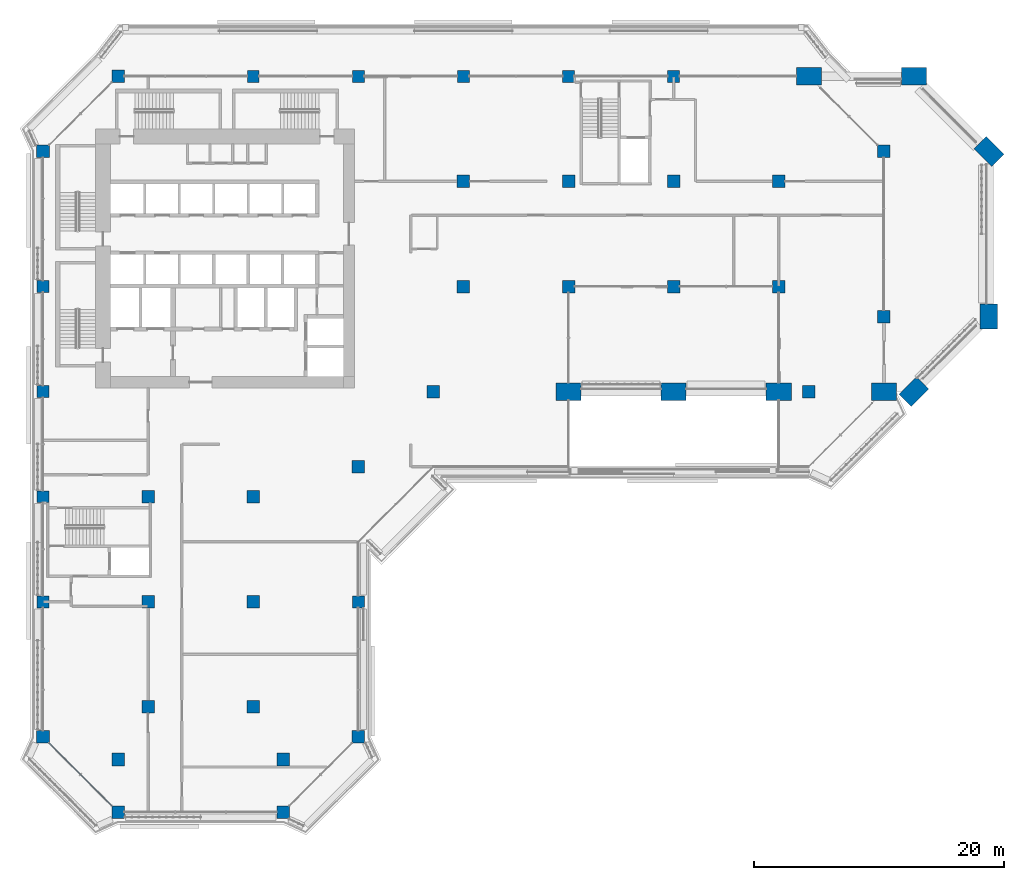
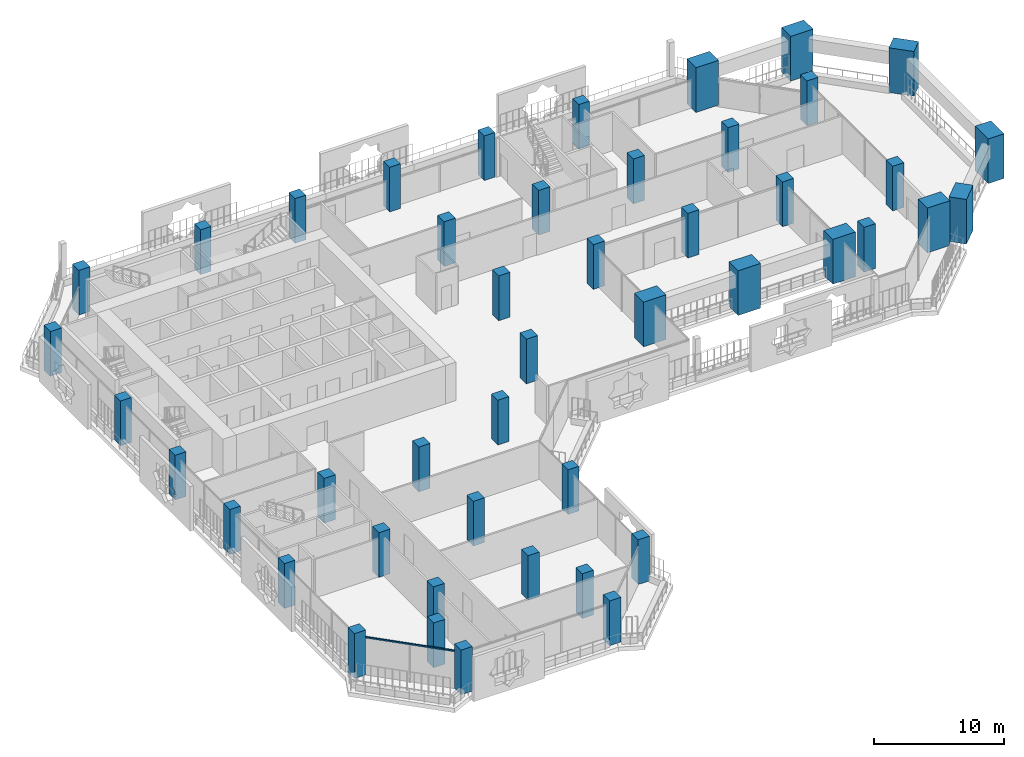
# One storey, part 1 of 23: 46 columns, 1 member, 1 element without a shape of its own.
"""IFC4 building model written with IfcOpenShell, lengths in metres."""

from ifc_helpers import new_model, si_unit, direction, frame, origin, origin_2d, place, context, subcontext, project, spatial, rectangle, extrude, material, layer, layer_set, material_profile, profile_set, type_object, element, aggregate, save


model = new_model("IFC4")

# Units and contexts
model_context = context("Model", 3, precision=1e-05, world=origin(), true_north=direction((0.0, 1.0)))
body_context = subcontext(model_context, "Body", "Model", "MODEL_VIEW")
ifc_project = project(units=[si_unit("LENGTHUNIT", "METRE"), si_unit("AREAUNIT", "SQUARE_METRE"), si_unit("VOLUMEUNIT", "CUBIC_METRE"), si_unit("PLANEANGLEUNIT", "RADIAN"), si_unit("MASSUNIT", "GRAM", prefix="KILO")], contexts=[model_context])

# Site, building, storey
site_placement = place(None, origin())
site = spatial("IfcSite", under=ifc_project, at=site_placement, CompositionType="ELEMENT")
building_placement = place(site_placement, origin())
building = spatial("IfcBuilding", under=site, at=building_placement, Name="Kawkab Arch Medical Tower", CompositionType="ELEMENT")
storey_placement = place(building_placement, frame((0.0, 0.0, 158.39990234375)))
storey = spatial("IfcBuildingStorey", under=building, at=storey_placement, Name="L36", CompositionType="ELEMENT", Elevation=158.39990234375)

# Columns
ifc_material_1 = material(Name="Concrete C50/60", Category="concrete")
ifc_material_profile_1 = material_profile(ifc_material_1, rectangle(XDim=1.0, YDim=1.0, at=origin_2d()), Name="RC 1000x1000")
ifc_profile_set_1 = profile_set([ifc_material_profile_1], Name="Concrete C50/60")
column_type_1 = type_object("IfcColumnType", Name="RC 1000x1000 column C50/60", PredefinedType="COLUMN", material=ifc_profile_set_1)
for number, where, z_axis, x_axis, name in (
    (1, (6.0, 0.0, 0.0), (0.0, 0.0, 1.0), (1.0, 0.0, 0.0), "Column RC 1000x1000"),
    (2, (0.0, -6.0, 0.0), (0.0, 0.0, 1.0), (1.0, 0.0, 0.0), "Column RC 1000x1000"),
    (3, (67.199951171875, -6.0, 0.0), (0.0, 0.0, 1.0), (1.0, 0.0, 0.0), "Column RC 1000x1000"),
    (4, (33.60009765625, -8.39990234375, 0.0), (0.0, 0.0, 1.0), (1.0, 0.0, 0.0), "Column RC 1000x1000"),
    (5, (42.0, -8.39990234375, 0.0), (0.0, 0.0, 1.0), (1.0, 0.0, 0.0), "Column RC 1000x1000"),
    (6, (50.39990234375, -8.39990234375, 0.0), (0.0, 0.0, 1.0), (1.0, 0.0, 0.0), "Column RC 1000x1000"),
    (7, (58.800048828125, -8.39990234375, 0.0), (0.0, 0.0, 1.0), (1.0, 0.0, 0.0), "Column RC 1000x1000"),
    (8, (33.60009765625, -16.800048828125, 0.0), (0.0, 0.0, 1.0), (1.0, 0.0, 0.0), "Column RC 1000x1000"),
    (9, (42.0, -16.800048828125, 0.0), (0.0, 0.0, 1.0), (1.0, 0.0, 0.0), "Column RC 1000x1000"),
    (10, (50.39990234375, -16.800048828125, 0.0), (0.0, 0.0, 1.0), (1.0, 0.0, 0.0), "Column RC 1000x1000"),
    (11, (58.800048828125, -16.800048828125, 0.0), (0.0, 0.0, 1.0), (1.0, 0.0, 0.0), "Column RC 1000x1000"),
    (12, (67.199951171875, -19.199951171875, 0.0), (0.0, 0.0, 1.0), (1.0, 0.0, 0.0), "Column RC 1000x1000"),
    (13, (31.199951171875, -25.199951171875, 0.0), (0.0, 0.0, 1.0), (1.0, 0.0, 0.0), "Column RC 1000x1000"),
    (14, (61.199951171875, -25.199951171875, 0.0), (0.0, 0.0, 1.0), (1.0, 0.0, 0.0), "Column RC 1000x1000"),
    (15, (25.199951171875, -31.199951171875, 0.0), (0.0, 0.0, 1.0), (1.0, 0.0, 0.0), "Column RC 1000x1000"),
    (16, (8.39990234375, -33.60009765625, 0.0), (0.0, 0.0, 1.0), (1.0, 0.0, 0.0), "Column RC 1000x1000"),
    (17, (16.800048828125, -33.60009765625, 0.0), (0.0, 0.0, 1.0), (1.0, 0.0, 0.0), "Column RC 1000x1000"),
    (18, (8.39990234375, -42.0, 0.0), (0.0, 0.0, 1.0), (1.0, 0.0, 0.0), "Column RC 1000x1000"),
    (19, (16.800048828125, -42.0, 0.0), (0.0, 0.0, 1.0), (1.0, 0.0, 0.0), "Column RC 1000x1000"),
    (20, (8.39990234375, -50.39990234375, 0.0), (0.0, 0.0, 1.0), (1.0, 0.0, 0.0), "Column RC 1000x1000"),
    (21, (16.800048828125, -50.39990234375, 0.0), (0.0, 0.0, 1.0), (1.0, 0.0, 0.0), "Column RC 1000x1000"),
    (22, (0.0, -52.800048828125, 0.0), (0.0, 0.0, 1.0), (1.0, 0.0, 0.0), "Column RC 1000x1000"),
    (23, (25.199951171875, -52.800048828125, 0.0), (0.0, 0.0, 1.0), (1.0, 0.0, 0.0), "Column RC 1000x1000"),
    (24, (6.0, -54.60009765625, 0.0), (0.0, 0.0, 1.0), (1.0, 0.0, 0.0), "Column RC 1000x1000"),
    (25, (19.199951171875, -54.60009765625, 0.0), (0.0, 0.0, 1.0), (1.0, 0.0, 0.0), "Column RC 1000x1000"),
    (26, (6.0, -58.800048828125, 0.0), (0.0, 0.0, 1.0), (1.0, 0.0, 0.0), "Column RC 1000x1000"),
    (27, (19.199951171875, -58.800048828125, 0.0), (0.0, 0.0, 1.0), (1.0, 0.0, 0.0), "Column RC 1000x1000"),
):
    element("IfcColumn", number, at=place(storey_placement, frame(where, z_axis=z_axis, x_axis=x_axis)), inside=storey, type_object=column_type_1, Name=name, PredefinedType="COLUMN", context=body_context, shape_type="SweptSolid", body=[
        extrude(rectangle(XDim=1.0, YDim=1.0, at=origin_2d()), origin(), (0.0, 0.0, 1.0), 4.2001953125),
    ])
ifc_material_2 = material(Name="Concrete C50/60", Category="concrete")
ifc_material_profile_2 = material_profile(ifc_material_2, rectangle(XDim=2.0, YDim=1.39990234375, at=origin_2d()), Name="RC 2000x1400")
ifc_profile_set_2 = profile_set([ifc_material_profile_2], Name="Concrete C50/60")
column_type_2 = type_object("IfcColumnType", Name="RC 2000x1400 column C50/60", PredefinedType="COLUMN", material=ifc_profile_set_2)
for number, where, z_axis, x_axis, name in (
    (28, (61.199951171875, 0.0, 0.0), (0.0, 0.0, 1.0), (1.0, 0.0, 0.0), "Column RC 2000x1400"),
    (29, (42.0, -25.199951171875, 0.0), (0.0, 0.0, 1.0), (-1.0, 0.0, 0.0), "Column RC 2000x1400"),
    (30, (50.39990234375, -25.199951171875, 0.0), (0.0, 0.0, 1.0), (-1.0, 0.0, 0.0), "Column RC 2000x1400"),
    (31, (69.60009765625, 0.0, 0.0), (0.0, 0.0, 1.0), (1.0, 0.0, 0.0), "Column RC 2000x1400"),
    (32, (75.60009765625, -6.0, 0.0), (0.0, 0.0, 1.0), (0.707106781187, -0.707106781187, 0.0), "Column RC 2000x1400"),
    (33, (75.60009765625, -19.199951171875, 0.0), (0.0, 0.0, 1.0), (0.0, -1.0, 0.0), "Column RC 2000x1400"),
    (34, (69.60009765625, -25.199951171875, 0.0), (0.0, 0.0, 1.0), (-0.707106781187, -0.707106781187, 0.0), "Column RC 2000x1400"),
    (35, (67.199951171875, -25.199951171875, 0.0), (0.0, 0.0, 1.0), (-1.0, 0.0, 0.0), "Column RC 2000x1400"),
    (36, (58.800048828125, -25.199951171875, 0.0), (0.0, 0.0, 1.0), (-1.0, 0.0, 0.0), "Column RC 2000x1400"),
):
    element("IfcColumn", number, at=place(storey_placement, frame(where, z_axis=z_axis, x_axis=x_axis)), inside=storey, type_object=column_type_2, Name=name, PredefinedType="COLUMN", context=body_context, shape_type="SweptSolid", body=[
        extrude(rectangle(XDim=2.0, YDim=1.39990234375, at=origin_2d()), origin(), (0.0, 0.0, 1.0), 4.2001953125),
    ])
ifc_material_3 = material(Name="Concrete C50/60", Category="concrete")
ifc_material_profile_3 = material_profile(ifc_material_3, rectangle(XDim=0.949951171875, YDim=0.949951171875, at=origin_2d()), Name="RC 950x950")
ifc_profile_set_3 = profile_set([ifc_material_profile_3], Name="Concrete C50/60")
column_type_3 = type_object("IfcColumnType", Name="RC 950x950 column C50/60", PredefinedType="COLUMN", material=ifc_profile_set_3)
for number, where, z_axis, x_axis, name in (
    (37, (16.800048828125, 0.0, 0.0), (0.0, 0.0, 1.0), (1.0, 0.0, 0.0), "Column RC 950x950"),
    (38, (25.199951171875, 0.0, 0.0), (0.0, 0.0, 1.0), (1.0, 0.0, 0.0), "Column RC 950x950"),
    (39, (33.60009765625, 0.0, 0.0), (0.0, 0.0, 1.0), (1.0, 0.0, 0.0), "Column RC 950x950"),
    (40, (42.0, 0.0, 0.0), (0.0, 0.0, 1.0), (1.0, 0.0, 0.0), "Column RC 950x950"),
    (41, (50.39990234375, 0.0, 0.0), (0.0, 0.0, 1.0), (1.0, 0.0, 0.0), "Column RC 950x950"),
    (42, (0.0, -16.800048828125, 0.0), (0.0, 0.0, 1.0), (1.0, 0.0, 0.0), "Column RC 950x950"),
    (43, (0.0, -25.199951171875, 0.0), (0.0, 0.0, 1.0), (1.0, 0.0, 0.0), "Column RC 950x950"),
    (44, (0.0, -33.60009765625, 0.0), (0.0, 0.0, 1.0), (1.0, 0.0, 0.0), "Column RC 950x950"),
    (45, (0.0, -42.0, 0.0), (0.0, 0.0, 1.0), (1.0, 0.0, 0.0), "Column RC 950x950"),
    (46, (25.199951171875, -42.0, 0.0), (0.0, 0.0, 1.0), (1.0, 0.0, 0.0), "Column RC 950x950"),
):
    element("IfcColumn", number, at=place(storey_placement, frame(where, z_axis=z_axis, x_axis=x_axis)), inside=storey, type_object=column_type_3, Name=name, PredefinedType="COLUMN", context=body_context, shape_type="SweptSolid", body=[
        extrude(rectangle(XDim=0.949951171875, YDim=0.949951171875, at=origin_2d()), origin(), (0.0, 0.0, 1.0), 4.2001953125),
    ])

# Curtain wall, member
ifc_material_4 = material(Name="Bronze anodised aluminium curtain wall frame", Category="aluminium")
ifc_layer = layer(ifc_material_4, 0.159912109375)
ifc_layer_set = layer_set([ifc_layer], Name="Bronze anodised aluminium curtain wall frame")
curtain_wall_type = type_object("IfcCurtainWallType", Name="CW2 chamfer curtain wall", PredefinedType="NOTDEFINED", material=ifc_layer_set)
curtain_wall_placement = place(storey_placement, origin())
curtain_wall = element("IfcCurtainWall", 47, at=curtain_wall_placement, inside=storey, type_object=curtain_wall_type, Name="CW2 Chamfer curtain wall R12", PredefinedType="NOTDEFINED")
ifc_material_5 = material(Name="Bronze anodised aluminium curtain wall frame", Category="aluminium")
ifc_material_profile_4 = material_profile(ifc_material_5, rectangle(XDim=0.06005859375, YDim=0.139892578125, at=origin_2d()), Name="AL 60x140")
ifc_profile_set_4 = profile_set([ifc_material_profile_4], Name="Bronze anodised aluminium curtain wall frame")
member_type = type_object("IfcMemberType", Name="CW2 transom 140 x 60", PredefinedType="USERDEFINED", material=ifc_profile_set_4)
member_placement = place(storey_placement, frame((0.5, -53.300048828125, 3.530029296875), z_axis=(0.707106781187, -0.707106781187, 0.0), x_axis=(0.707106781187, 0.707106781187, 0.0)))
member = element("IfcMember", 48, at=member_placement, type_object=member_type, Name="CW2 transom 1", ObjectType="TRANSOM", PredefinedType="USERDEFINED", context=body_context, shape_type="SweptSolid", body=[
    extrude(rectangle(XDim=0.06005859375, YDim=0.139892578125, at=origin_2d()), origin(), (0.0, 0.0, 1.0), 7.071044921875),
])
aggregate(curtain_wall, [member])

save(model, "model.ifc")
